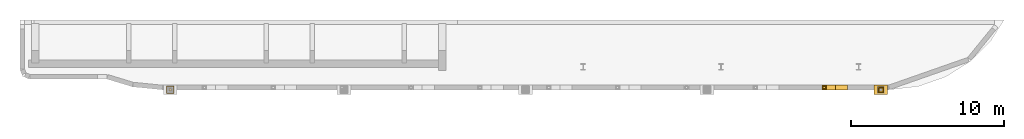
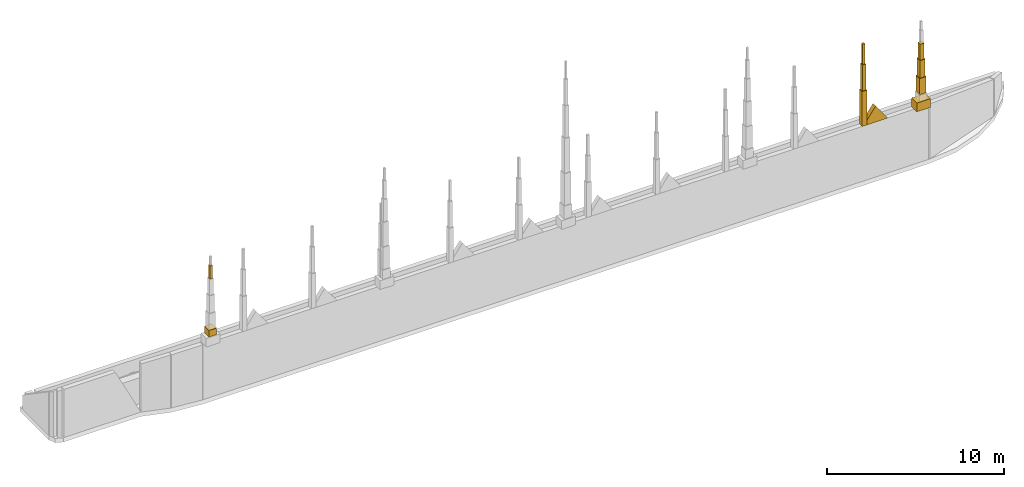
# One storey, part 4 of 6: 10 coverings.
"""IFC4 building model written with IfcOpenShell, lengths in metres."""

from ifc_helpers import new_model, si_unit, direction, frame, origin, origin_2d, place, context, subcontext, project, spatial, polyline, rectangle, outline, extrude, material, layer, layer_set, type_object, element, save


model = new_model("IFC4")

# Units and contexts
model_context = context("Model", 3, precision=1e-05, world=origin(), true_north=direction((0.0, 1.0)))
body_context = subcontext(model_context, "Body", "Model", "MODEL_VIEW")
ifc_project = project(units=[si_unit("LENGTHUNIT", "METRE"), si_unit("AREAUNIT", "SQUARE_METRE"), si_unit("VOLUMEUNIT", "CUBIC_METRE"), si_unit("PLANEANGLEUNIT", "RADIAN"), si_unit("MASSUNIT", "GRAM", prefix="KILO")], contexts=[model_context])

# Site, building, storey
site_placement = place(None, origin())
site = spatial("IfcSite", under=ifc_project, at=site_placement, CompositionType="ELEMENT")
building_placement = place(site_placement, origin())
building = spatial("IfcBuilding", under=site, at=building_placement, Name="Ogive Portal Towers", CompositionType="ELEMENT")
storey_placement = place(building_placement, frame((0.0, 0.0, 293.89990234375)))
storey = spatial("IfcBuildingStorey", under=building, at=storey_placement, Name="L71", CompositionType="ELEMENT", Elevation=293.89990234375)

# Coverings
ifc_material = material(Name="Limestone cladding on lightweight block wall", Category="masonry")
ifc_layer_1 = layer(ifc_material, 0.139892578125)
ifc_layer_set_1 = layer_set([ifc_layer_1], Name="CROWN PINNACLE FINIAL STONE")
covering_type_1 = type_object("IfcCoveringType", Name="CROWN PINNACLE FINIAL STONE", PredefinedType="CLADDING", material=ifc_layer_set_1)
covering_1_placement = place(storey_placement, frame((83.25, 20.14990234375, 7.998046875), z_axis=(0.0, 0.0, 1.0), x_axis=(1.0, 0.0, 0.0)))
element("IfcCovering", 1, at=covering_1_placement, inside=storey, type_object=covering_type_1, Name="PINNACLE", PredefinedType="CLADDING", context=body_context, shape_type="SweptSolid", body=[
    extrude(rectangle(XDim=0.139892578125, YDim=0.139892578125, at=origin_2d()), origin(), (0.0, 0.0, 1.0), 1.39990234375),
])
ifc_layer_2 = layer(ifc_material, 0.219970703125)
ifc_layer_set_2 = layer_set([ifc_layer_2], Name="CROWN PINNACLE MID STONE")
covering_type_2 = type_object("IfcCoveringType", Name="CROWN PINNACLE MID STONE", PredefinedType="CLADDING", material=ifc_layer_set_2)
covering_2_placement = place(storey_placement, frame((83.25, 20.14990234375, 6.1982421875), z_axis=(0.0, 0.0, 1.0), x_axis=(1.0, 0.0, 0.0)))
element("IfcCovering", 2, at=covering_2_placement, inside=storey, type_object=covering_type_2, Name="PINNACLE", PredefinedType="CLADDING", context=body_context, shape_type="SweptSolid", body=[
    extrude(rectangle(XDim=0.219970703125, YDim=0.219970703125, at=origin_2d()), origin(), (0.0, 0.0, 1.0), 1.800048828125),
])
ifc_layer_3 = layer(ifc_material, 0.300048828125)
ifc_layer_set_3 = layer_set([ifc_layer_3], Name="CROWN PINNACLE SHAFT STONE")
covering_type_3 = type_object("IfcCoveringType", Name="CROWN PINNACLE SHAFT STONE", PredefinedType="CLADDING", material=ifc_layer_set_3)
covering_3_placement = place(storey_placement, frame((83.25, 20.14990234375, 3.798095703125), z_axis=(0.0, 0.0, 1.0), x_axis=(1.0, 0.0, 0.0)))
element("IfcCovering", 3, at=covering_3_placement, inside=storey, type_object=covering_type_3, Name="PINNACLE", PredefinedType="CLADDING", context=body_context, shape_type="SweptSolid", body=[
    extrude(rectangle(XDim=0.300048828125, YDim=0.300048828125, at=origin_2d()), origin(), (0.0, 0.0, 1.0), 2.39990234375),
])
covering_4_placement = place(storey_placement, frame((40.5146484375, 20.0, 4.39794921875), z_axis=(0.0, 0.0, 1.0), x_axis=(1.0, 0.0, 0.0)))
element("IfcCovering", 4, at=covering_4_placement, inside=storey, type_object=covering_type_3, Name="CROWN SPIRE", PredefinedType="CLADDING", context=body_context, shape_type="SweptSolid", body=[
    extrude(rectangle(XDim=0.5, YDim=0.5, at=origin_2d()), origin(), (0.0, 0.0, 1.0), 0.449951171875),
])
covering_5_placement = place(storey_placement, frame((40.5146484375, 20.0, 8.248046875), z_axis=(0.0, 0.0, 1.0), x_axis=(1.0, 0.0, 0.0)))
element("IfcCovering", 5, at=covering_5_placement, inside=storey, type_object=covering_type_3, Name="CROWN SPIRE", PredefinedType="CLADDING", context=body_context, shape_type="SweptSolid", body=[
    extrude(rectangle(XDim=0.179931640625, YDim=0.179931640625, at=origin_2d()), origin(), (0.0, 0.0, 1.0), 0.89990234375),
])
covering_6_placement = place(storey_placement, frame((86.948974609375, 20.0, 4.84814453125), z_axis=(0.0, 0.0, 1.0), x_axis=(1.0, 0.0, 0.0)))
element("IfcCovering", 6, at=covering_6_placement, inside=storey, type_object=covering_type_3, Name="CROWN SPIRE", PredefinedType="CLADDING", context=body_context, shape_type="SweptSolid", body=[
    extrude(rectangle(XDim=0.419921875, YDim=0.419921875, at=origin_2d()), origin(), (0.0, 0.0, 1.0), 1.10009765625),
])
covering_7_placement = place(storey_placement, frame((86.948974609375, 20.0, 5.9482421875), z_axis=(0.0, 0.0, 1.0), x_axis=(1.0, 0.0, 0.0)))
element("IfcCovering", 7, at=covering_7_placement, inside=storey, type_object=covering_type_3, Name="CROWN SPIRE", PredefinedType="CLADDING", context=body_context, shape_type="SweptSolid", body=[
    extrude(rectangle(XDim=0.340087890625, YDim=0.340087890625, at=origin_2d()), origin(), (0.0, 0.0, 1.0), 1.199951171875),
])
covering_8_placement = place(storey_placement, frame((86.948974609375, 20.0, 7.14794921875), z_axis=(0.0, 0.0, 1.0), x_axis=(1.0, 0.0, 0.0)))
element("IfcCovering", 8, at=covering_8_placement, inside=storey, type_object=covering_type_3, Name="CROWN SPIRE", PredefinedType="CLADDING", context=body_context, shape_type="SweptSolid", body=[
    extrude(rectangle(XDim=0.260009765625, YDim=0.260009765625, at=origin_2d()), origin(), (0.0, 0.0, 1.0), 1.10009765625),
])
ifc_layer_4 = layer(ifc_material, 0.60009765625)
ifc_layer_set_4 = layer_set([ifc_layer_4], Name="CROWN SPIRE BASE STONE")
covering_type_4 = type_object("IfcCoveringType", Name="CROWN SPIRE BASE STONE", PredefinedType="CLADDING", material=ifc_layer_set_4)
covering_9_placement = place(storey_placement, frame((86.948974609375, 20.0, 3.798095703125), z_axis=(0.0, 0.0, 1.0), x_axis=(1.0, 0.0, 0.0)))
element("IfcCovering", 9, at=covering_9_placement, inside=storey, type_object=covering_type_4, Name="SPIRE BASE", PredefinedType="CLADDING", context=body_context, shape_type="SweptSolid", body=[
    extrude(rectangle(XDim=0.89990234375, YDim=0.60009765625, at=origin_2d()), origin(), (0.0, 0.0, 1.0), 0.60009765625),
])
ifc_layer_5 = layer(ifc_material, 0.300048828125)
ifc_layer_set_5 = layer_set([ifc_layer_5], Name="PARAPET GABLE STONE")
covering_type_5 = type_object("IfcCoveringType", Name="PARAPET GABLE STONE", PredefinedType="CLADDING", material=ifc_layer_set_5)
covering_10_placement = place(storey_placement, frame((83.181884765625, 20.0, 3.798095703125), z_axis=(0.0, -1.0, 0.0), x_axis=(1.0, 0.0, 0.0)))
element("IfcCovering", 10, at=covering_10_placement, inside=storey, type_object=covering_type_5, Name="CROWN GABLE", PredefinedType="CLADDING", context=body_context, shape_type="SweptSolid", body=[
    extrude(outline(polyline([(0.0, 0.0), (1.60009765625, 0.0), (0.800048828125, 1.10009765625), (0.0, 0.0)])), origin(), (0.0, 0.0, -1.0), 0.300048828125),
])

save(model, "model.ifc")
